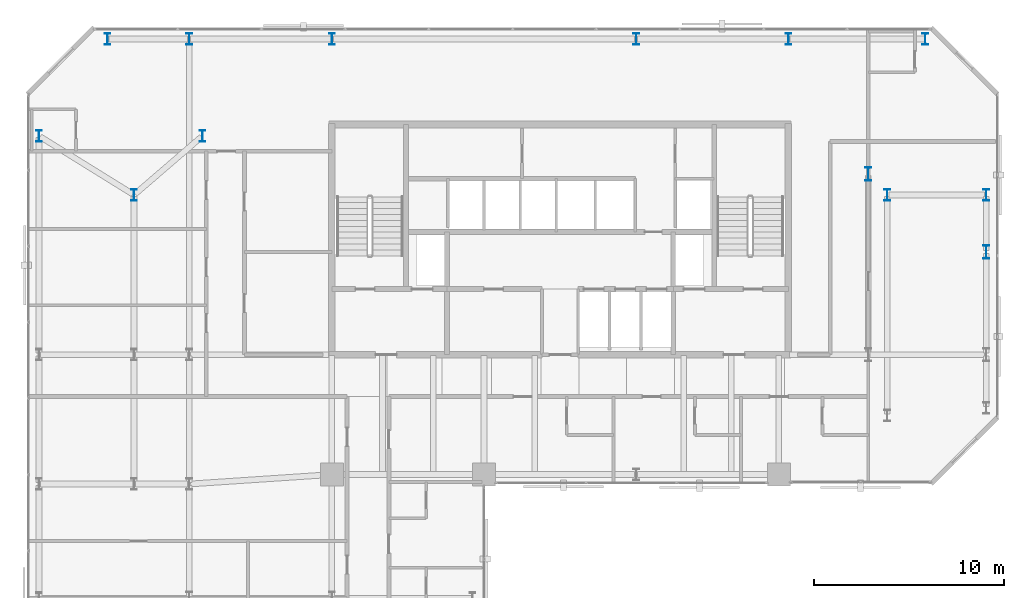
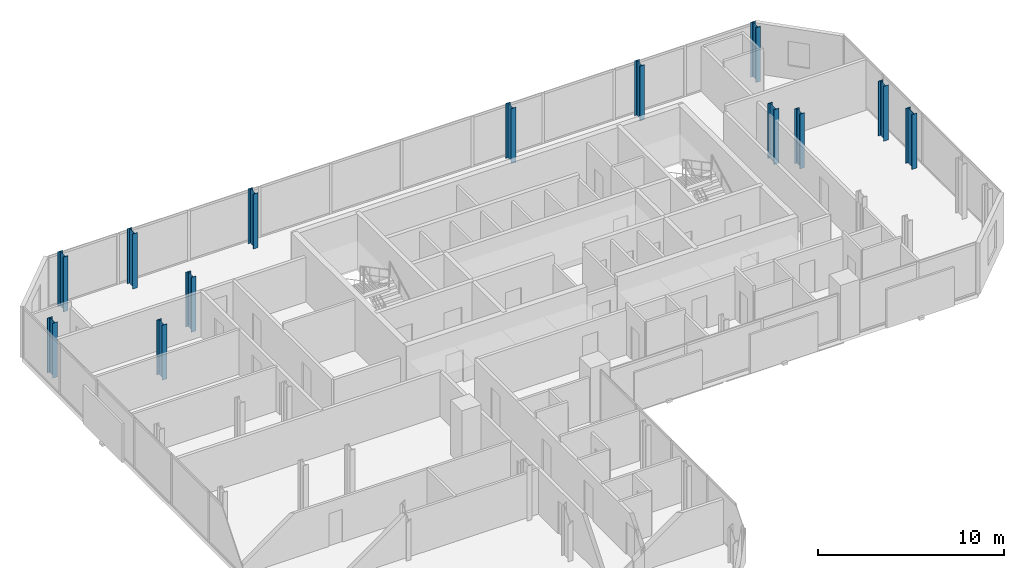
# One storey, part 2 of 32: 13 columns.
"""IFC4 building model written with IfcOpenShell, lengths in metres."""

from ifc_helpers import new_model, si_unit, direction, frame, origin, origin_2d, place, context, subcontext, project, spatial, i_section, extrude, material, material_profile, profile_set, type_object, element, save


model = new_model("IFC4")

# Units and contexts
model_context = context("Model", 3, precision=1e-05, world=origin(), true_north=direction((0.0, 1.0)))
body_context = subcontext(model_context, "Body", "Model", "MODEL_VIEW")
ifc_project = project(units=[si_unit("LENGTHUNIT", "METRE"), si_unit("AREAUNIT", "SQUARE_METRE"), si_unit("VOLUMEUNIT", "CUBIC_METRE"), si_unit("PLANEANGLEUNIT", "RADIAN"), si_unit("MASSUNIT", "GRAM", prefix="KILO")], contexts=[model_context])

# Site, building, storey
site_placement = place(None, origin())
site = spatial("IfcSite", under=ifc_project, at=site_placement, CompositionType="ELEMENT")
building_placement = place(site_placement, origin())
building = spatial("IfcBuilding", under=site, at=building_placement, Name="Catumbela Crestline Tower", CompositionType="ELEMENT")
storey_placement = place(building_placement, frame((0.0, 0.0, 133.2)))
storey = spatial("IfcBuildingStorey", under=building, at=storey_placement, Name="L34", CompositionType="ELEMENT", Elevation=133.2)

# Columns
ifc_material = material(Name="Structural steel S460M", Category="steel")
ifc_material_profile_1 = material_profile(ifc_material, i_section(OverallWidth=0.3, OverallDepth=0.6, WebThickness=0.0155, FlangeThickness=0.03, FilletRadius=0.027, at=origin_2d()), Name="HEB 600")
ifc_profile_set_1 = profile_set([ifc_material_profile_1], Name="Structural steel S460M")
column_type_1 = type_object("IfcColumnType", Name="C-ST-HEB600", PredefinedType="COLUMN", material=ifc_profile_set_1)
for number, where, z_axis, x_axis, name in (
    (1, (5.6, 39.2, 0.0), (0.0, 0.0, 1.0), (1.0, 0.0, 0.0), "L34 Column C-05-43 (HEB 600)"),
    (2, (9.2, 42.3, 0.0), (0.0, 0.0, 1.0), (1.0, 0.0, 0.0), "L34 Column C-08-43 (HEB 600)"),
    (3, (45.2, 39.2, 0.0), (0.0, 0.0, 1.0), (1.0, 0.0, 0.0), "L34 Column C-46-43 (HEB 600)"),
    (4, (0.6, 42.3, 0.0), (0.0, 0.0, 1.0), (1.0, 0.0, 0.0), "L34 Column C-00-43 (HEB 600)"),
    (5, (4.2, 47.4, 0.0), (0.0, 0.0, 1.0), (1.0, 0.0, 0.0), "L34 Column C-00-48 (HEB 600)"),
    (6, (8.5, 47.4, 0.0), (0.0, 0.0, 1.0), (1.0, 0.0, 0.0), "L34 Column C-08-48 (HEB 600)"),
    (7, (16.0, 47.4, 0.0), (0.0, 0.0, 1.0), (1.0, 0.0, 0.0), "L34 Column C-16-48 (HEB 600)"),
    (8, (32.0, 47.4, 0.0), (0.0, 0.0, 1.0), (1.0, 0.0, 0.0), "L34 Column C-32-48 (HEB 600)"),
    (9, (40.0, 47.4, 0.0), (0.0, 0.0, 1.0), (1.0, 0.0, 0.0), "L34 Column C-40-48 (HEB 600)"),
    (10, (47.2, 47.4, 0.0), (0.0, 0.0, 1.0), (1.0, 0.0, 0.0), "L34 Column C-48-48 (HEB 600)"),
    (11, (50.4, 39.2, 0.0), (0.0, 0.0, 1.0), (1.0, 0.0, 0.0), "L34 Column C-51-43 (HEB 600)"),
):
    element("IfcColumn", number, at=place(storey_placement, frame(where, z_axis=z_axis, x_axis=x_axis)), inside=storey, type_object=column_type_1, Name=name, PredefinedType="COLUMN", context=body_context, shape_type="SweptSolid", body=[
        extrude(i_section(OverallWidth=0.3, OverallDepth=0.6, WebThickness=0.0155, FlangeThickness=0.03, FilletRadius=0.027, at=origin_2d()), origin(), (0.0, 0.0, 1.0), 3.6),
    ])
ifc_material_profile_2 = material_profile(ifc_material, i_section(OverallWidth=0.3, OverallDepth=0.7, WebThickness=0.017, FlangeThickness=0.032, FilletRadius=0.027, at=origin_2d()), Name="HEB 700")
ifc_profile_set_2 = profile_set([ifc_material_profile_2], Name="Structural steel S460M")
column_type_2 = type_object("IfcColumnType", Name="C-ST-HEB700", PredefinedType="COLUMN", material=ifc_profile_set_2)
for number, where, z_axis, x_axis, name in (
    (12, (44.2, 40.3, 0.0), (0.0, 0.0, 1.0), (1.0, 0.0, 0.0), "L34 Column CT-46-37 (HEB 700)"),
    (13, (50.4, 36.2, 0.0), (0.0, 0.0, 1.0), (1.0, 0.0, 0.0), "L34 Column CT-51-37 (HEB 700)"),
):
    element("IfcColumn", number, at=place(storey_placement, frame(where, z_axis=z_axis, x_axis=x_axis)), inside=storey, type_object=column_type_2, Name=name, PredefinedType="COLUMN", context=body_context, shape_type="SweptSolid", body=[
        extrude(i_section(OverallWidth=0.3, OverallDepth=0.7, WebThickness=0.017, FlangeThickness=0.032, FilletRadius=0.027, at=origin_2d()), origin(), (0.0, 0.0, 1.0), 3.6),
    ])

save(model, "model.ifc")
